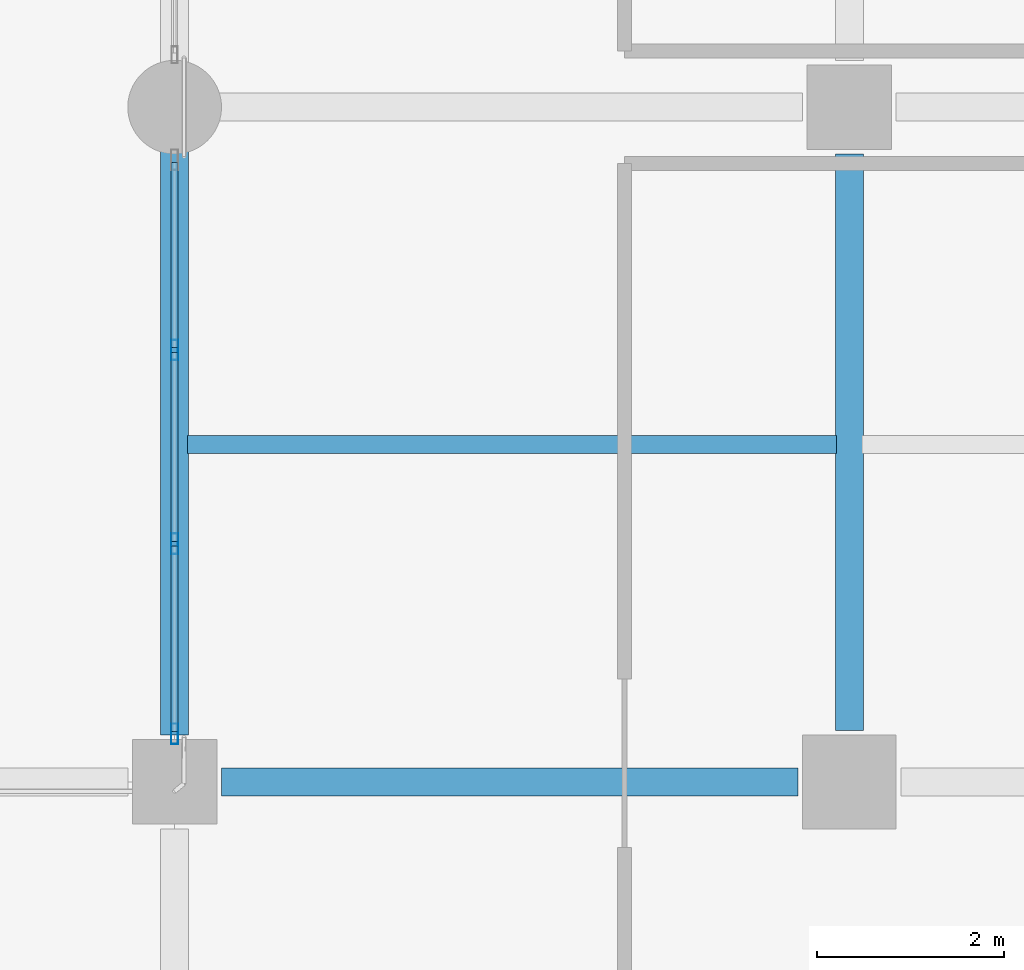
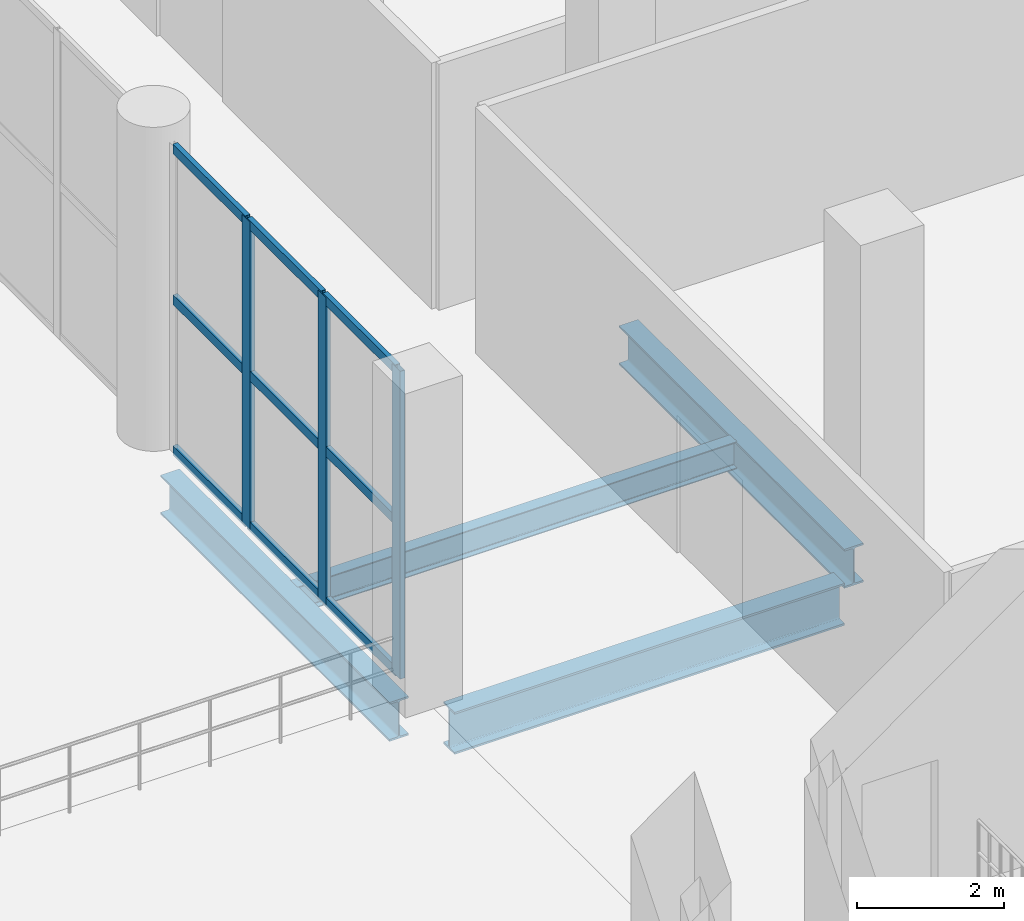
# One storey, part 15 of 58: 12 members, 4 beams, 1 element without a shape of its own.
"""IFC4 building model written with IfcOpenShell, lengths in metres."""

from ifc_helpers import new_model, si_unit, direction, frame, origin, origin_2d, place, context, subcontext, project, spatial, hollow_rectangle, i_section, extrude, material, material_profile, profile_set, type_object, element, aggregate, save


model = new_model("IFC4")

# Units and contexts
model_context = context("Model", 3, precision=1e-05, world=origin(), true_north=direction((0.0, 1.0)))
body_context = subcontext(model_context, "Body", "Model", "MODEL_VIEW")
ifc_project = project(units=[si_unit("LENGTHUNIT", "METRE"), si_unit("AREAUNIT", "SQUARE_METRE"), si_unit("VOLUMEUNIT", "CUBIC_METRE"), si_unit("PLANEANGLEUNIT", "RADIAN"), si_unit("MASSUNIT", "GRAM", prefix="KILO")], contexts=[model_context])

# Site, building, storey
site_placement = place(None, origin())
site = spatial("IfcSite", under=ifc_project, at=site_placement, CompositionType="ELEMENT")
building_placement = place(site_placement, origin())
building = spatial("IfcBuilding", under=site, at=building_placement, Name="Qandorah Velis Arena", CompositionType="ELEMENT")
storey_placement = place(building_placement, origin())
storey = spatial("IfcBuildingStorey", under=building, at=storey_placement, Name="L00", CompositionType="ELEMENT", Elevation=0.0)

# Curtain wall, members
ifc_material_1 = material(Name="Solar-control low-E double glazing", Category="glass")
curtain_wall_type = type_object("IfcCurtainWallType", Name="ARC-CW-SYS21", PredefinedType="USERDEFINED", material=ifc_material_1)
curtain_wall_placement = place(storey_placement, origin())
curtain_wall = element("IfcCurtainWall", 1, at=curtain_wall_placement, inside=storey, type_object=curtain_wall_type, Name="Unitised curtain wall L00-117", ObjectType="UNITISED CURTAIN WALL", PredefinedType="USERDEFINED")
ifc_material_2 = material(Name="Champagne-bronze anodized aluminium 6063-T6", Category="aluminium")
ifc_material_profile_1 = material_profile(ifc_material_2, hollow_rectangle(XDim=0.074951171875, YDim=0.219970703125, WallThickness=0.00390625, at=origin_2d()), Name="ALU MULLION 75x220")
ifc_profile_set_1 = profile_set([ifc_material_profile_1], Name="Champagne-bronze anodized aluminium 6063-T6")
member_type_1 = type_object("IfcMemberType", Name="ARC-CWM-220", PredefinedType="MULLION", material=ifc_profile_set_1)
member_1_placement = place(storey_placement, frame((151.199951171875, 58.112548828125, -0.014892578125), z_axis=(0.0, 0.0, 1.0), x_axis=(-1.0, 0.0, 0.0)))
member_1 = element("IfcMember", 2, at=member_1_placement, type_object=member_type_1, Name="CW21 mullion 1", PredefinedType="MULLION", context=body_context, shape_type="SweptSolid", body=[
    extrude(hollow_rectangle(XDim=0.074951171875, YDim=0.219970703125, WallThickness=0.00390625, at=origin_2d()), origin(), (0.0, 0.0, 1.0), 5.1298828125),
])
member_2_placement = place(storey_placement, frame((151.199951171875, 60.1416015625, -0.014892578125), z_axis=(0.0, 0.0, 1.0), x_axis=(-1.0, 0.0, 0.0)))
member_2 = element("IfcMember", 3, at=member_2_placement, type_object=member_type_1, Name="CW21 mullion 2", PredefinedType="MULLION", context=body_context, shape_type="SweptSolid", body=[
    extrude(hollow_rectangle(XDim=0.074951171875, YDim=0.219970703125, WallThickness=0.00390625, at=origin_2d()), origin(), (0.0, 0.0, 1.0), 5.1298828125),
])
member_3_placement = place(storey_placement, frame((151.199951171875, 62.208251953125, -0.014892578125), z_axis=(0.0, 0.0, 1.0), x_axis=(-1.0, 0.0, 0.0)))
member_3 = element("IfcMember", 4, at=member_3_placement, type_object=member_type_1, Name="CW21 mullion 3", PredefinedType="MULLION", context=body_context, shape_type="SweptSolid", body=[
    extrude(hollow_rectangle(XDim=0.074951171875, YDim=0.219970703125, WallThickness=0.00390625, at=origin_2d()), origin(), (0.0, 0.0, 1.0), 5.1298828125),
])
ifc_material_profile_2 = material_profile(ifc_material_2, hollow_rectangle(XDim=0.074951171875, YDim=0.159912109375, WallThickness=0.00341796875, at=origin_2d()), Name="ALU TRANSOM 75x160")
ifc_profile_set_2 = profile_set([ifc_material_profile_2], Name="Champagne-bronze anodized aluminium 6063-T6")
member_type_2 = type_object("IfcMemberType", Name="ARC-CWT-160", PredefinedType="USERDEFINED", material=ifc_profile_set_2)
member_4_placement = place(storey_placement, frame((151.199951171875, 58.137939453125, 0.03759765625), z_axis=(0.0, 1.0, 0.0), x_axis=(-1.0, 0.0, 0.0)))
member_4 = element("IfcMember", 5, at=member_4_placement, type_object=member_type_2, Name="CW21 transom 1.1", ObjectType="TRANSOM", PredefinedType="USERDEFINED", context=body_context, shape_type="SweptSolid", body=[
    extrude(hollow_rectangle(XDim=0.074951171875, YDim=0.159912109375, WallThickness=0.00341796875, at=origin_2d()), origin(), (0.0, 0.0, 1.0), 1.978271484375),
])
member_5_placement = place(storey_placement, frame((151.199951171875, 58.137939453125, 2.550048828125), z_axis=(0.0, 1.0, 0.0), x_axis=(-1.0, 0.0, 0.0)))
member_5 = element("IfcMember", 6, at=member_5_placement, type_object=member_type_2, Name="CW21 transom 1.2", ObjectType="TRANSOM", PredefinedType="USERDEFINED", context=body_context, shape_type="SweptSolid", body=[
    extrude(hollow_rectangle(XDim=0.074951171875, YDim=0.159912109375, WallThickness=0.00341796875, at=origin_2d()), origin(), (0.0, 0.0, 1.0), 1.978271484375),
])
member_6_placement = place(storey_placement, frame((151.199951171875, 58.137939453125, 5.0625), z_axis=(0.0, 1.0, 0.0), x_axis=(-1.0, 0.0, 0.0)))
member_6 = element("IfcMember", 7, at=member_6_placement, type_object=member_type_2, Name="CW21 transom 1.3", ObjectType="TRANSOM", PredefinedType="USERDEFINED", context=body_context, shape_type="SweptSolid", body=[
    extrude(hollow_rectangle(XDim=0.074951171875, YDim=0.159912109375, WallThickness=0.00341796875, at=origin_2d()), origin(), (0.0, 0.0, 1.0), 1.978271484375),
])
member_7_placement = place(storey_placement, frame((151.199951171875, 60.167236328125, 0.03759765625), z_axis=(0.0, 1.0, 0.0), x_axis=(-1.0, 0.0, 0.0)))
member_7 = element("IfcMember", 8, at=member_7_placement, type_object=member_type_2, Name="CW21 transom 2.1", ObjectType="TRANSOM", PredefinedType="USERDEFINED", context=body_context, shape_type="SweptSolid", body=[
    extrude(hollow_rectangle(XDim=0.074951171875, YDim=0.159912109375, WallThickness=0.00341796875, at=origin_2d()), origin(), (0.0, 0.0, 1.0), 2.015625),
])
member_8_placement = place(storey_placement, frame((151.199951171875, 60.167236328125, 2.550048828125), z_axis=(0.0, 1.0, 0.0), x_axis=(-1.0, 0.0, 0.0)))
member_8 = element("IfcMember", 9, at=member_8_placement, type_object=member_type_2, Name="CW21 transom 2.2", ObjectType="TRANSOM", PredefinedType="USERDEFINED", context=body_context, shape_type="SweptSolid", body=[
    extrude(hollow_rectangle(XDim=0.074951171875, YDim=0.159912109375, WallThickness=0.00341796875, at=origin_2d()), origin(), (0.0, 0.0, 1.0), 2.015625),
])
member_9_placement = place(storey_placement, frame((151.199951171875, 60.167236328125, 5.0625), z_axis=(0.0, 1.0, 0.0), x_axis=(-1.0, 0.0, 0.0)))
member_9 = element("IfcMember", 10, at=member_9_placement, type_object=member_type_2, Name="CW21 transom 2.3", ObjectType="TRANSOM", PredefinedType="USERDEFINED", context=body_context, shape_type="SweptSolid", body=[
    extrude(hollow_rectangle(XDim=0.074951171875, YDim=0.159912109375, WallThickness=0.00341796875, at=origin_2d()), origin(), (0.0, 0.0, 1.0), 2.015625),
])
member_10_placement = place(storey_placement, frame((151.199951171875, 62.23388671875, 0.03759765625), z_axis=(0.0, 1.0, 0.0), x_axis=(-1.0, 0.0, 0.0)))
member_10 = element("IfcMember", 11, at=member_10_placement, type_object=member_type_2, Name="CW21 transom 3.1", ObjectType="TRANSOM", PredefinedType="USERDEFINED", context=body_context, shape_type="SweptSolid", body=[
    extrude(hollow_rectangle(XDim=0.074951171875, YDim=0.159912109375, WallThickness=0.00341796875, at=origin_2d()), origin(), (0.0, 0.0, 1.0), 1.97802734375),
])
member_11_placement = place(storey_placement, frame((151.199951171875, 62.23388671875, 2.550048828125), z_axis=(0.0, 1.0, 0.0), x_axis=(-1.0, 0.0, 0.0)))
member_11 = element("IfcMember", 12, at=member_11_placement, type_object=member_type_2, Name="CW21 transom 3.2", ObjectType="TRANSOM", PredefinedType="USERDEFINED", context=body_context, shape_type="SweptSolid", body=[
    extrude(hollow_rectangle(XDim=0.074951171875, YDim=0.159912109375, WallThickness=0.00341796875, at=origin_2d()), origin(), (0.0, 0.0, 1.0), 1.97802734375),
])
member_12_placement = place(storey_placement, frame((151.199951171875, 62.23388671875, 5.0625), z_axis=(0.0, 1.0, 0.0), x_axis=(-1.0, 0.0, 0.0)))
member_12 = element("IfcMember", 13, at=member_12_placement, type_object=member_type_2, Name="CW21 transom 3.3", ObjectType="TRANSOM", PredefinedType="USERDEFINED", context=body_context, shape_type="SweptSolid", body=[
    extrude(hollow_rectangle(XDim=0.074951171875, YDim=0.159912109375, WallThickness=0.00341796875, at=origin_2d()), origin(), (0.0, 0.0, 1.0), 1.97802734375),
])
aggregate(curtain_wall, [member_1, member_2, member_3, member_4, member_5, member_6, member_7, member_8, member_9, member_10, member_11, member_12])

# Beams
ifc_material_3 = material(Name="Steel S355", Category="steel")
ifc_material_profile_3 = material_profile(ifc_material_3, i_section(OverallWidth=0.300048828125, OverallDepth=0.64990234375, WebThickness=0.01611328125, FlangeThickness=0.031005859375, FilletRadius=0.027099609375, at=origin_2d()), Name="HEB 650")
ifc_profile_set_3 = profile_set([ifc_material_profile_3], Name="Steel S355")
beam_type_1 = type_object("IfcBeamType", Name="STR-BM-HEB650", PredefinedType="BEAM", material=ifc_profile_set_3)
beam_1_placement = place(storey_placement, frame((151.199951171875, 58.10009765625, -0.7451171875), z_axis=(0.0, 1.0, 0.0), x_axis=(-1.0, 0.0, 0.0)))
element("IfcBeam", 14, at=beam_1_placement, inside=storey, type_object=beam_type_1, Name="Primary floor girder L00 Y-506", PredefinedType="BEAM", context=body_context, shape_type="SweptSolid", body=[
    extrude(i_section(OverallWidth=0.300048828125, OverallDepth=0.64990234375, WebThickness=0.01611328125, FlangeThickness=0.031005859375, FilletRadius=0.027099609375, at=origin_2d()), origin(), (0.0, 0.0, 1.0), 6.25),
])
beam_2_placement = place(storey_placement, frame((158.39990234375, 58.14990234375, -0.7451171875), z_axis=(0.0, 1.0, 0.0), x_axis=(-1.0, 0.0, 0.0)))
element("IfcBeam", 15, at=beam_2_placement, inside=storey, type_object=beam_type_1, Name="Primary floor girder L00 Y-511", PredefinedType="BEAM", context=body_context, shape_type="SweptSolid", body=[
    extrude(i_section(OverallWidth=0.300048828125, OverallDepth=0.64990234375, WebThickness=0.01611328125, FlangeThickness=0.031005859375, FilletRadius=0.027099609375, at=origin_2d()), origin(), (0.0, 0.0, 1.0), 6.150146484375),
])
ifc_material_profile_4 = material_profile(ifc_material_3, i_section(OverallWidth=0.300048828125, OverallDepth=0.699951171875, WebThickness=0.01708984375, FlangeThickness=0.031982421875, FilletRadius=0.027099609375, at=origin_2d()), Name="HEB 700")
ifc_profile_set_4 = profile_set([ifc_material_profile_4], Name="Steel S355")
beam_type_2 = type_object("IfcBeamType", Name="STR-BM-HEB700", PredefinedType="BEAM", material=ifc_profile_set_4)
beam_3_placement = place(storey_placement, frame((151.699951171875, 57.60009765625, -0.77001953125), z_axis=(1.0, 0.0, 0.0), x_axis=(0.0, 1.0, 0.0)))
element("IfcBeam", 16, at=beam_3_placement, inside=storey, type_object=beam_type_2, Name="Primary floor girder L00 X-128", PredefinedType="BEAM", context=body_context, shape_type="SweptSolid", body=[
    extrude(i_section(OverallWidth=0.300048828125, OverallDepth=0.699951171875, WebThickness=0.01708984375, FlangeThickness=0.031982421875, FilletRadius=0.027099609375, at=origin_2d()), origin(), (0.0, 0.0, 1.0), 6.150146484375),
])
ifc_material_profile_5 = material_profile(ifc_material_3, i_section(OverallWidth=0.18994140625, OverallDepth=0.449951171875, WebThickness=0.009521484375, FlangeThickness=0.0146484375, FilletRadius=0.02099609375, at=origin_2d()), Name="IPE 450")
ifc_profile_set_5 = profile_set([ifc_material_profile_5], Name="Steel S355")
beam_type_3 = type_object("IfcBeamType", Name="STR-JST-IPE450", PredefinedType="JOIST", material=ifc_profile_set_5)
beam_4_placement = place(storey_placement, frame((151.3349609375, 61.199951171875, -0.64501953125), z_axis=(1.0, 0.0, 0.0), x_axis=(0.0, 1.0, 0.0)))
element("IfcBeam", 17, at=beam_4_placement, inside=storey, type_object=beam_type_3, Name="Secondary floor joist L00-193", PredefinedType="JOIST", context=body_context, shape_type="SweptSolid", body=[
    extrude(i_section(OverallWidth=0.18994140625, OverallDepth=0.449951171875, WebThickness=0.009521484375, FlangeThickness=0.0146484375, FilletRadius=0.02099609375, at=origin_2d()), origin(), (0.0, 0.0, 1.0), 6.929931640625),
])

save(model, "model.ifc")
